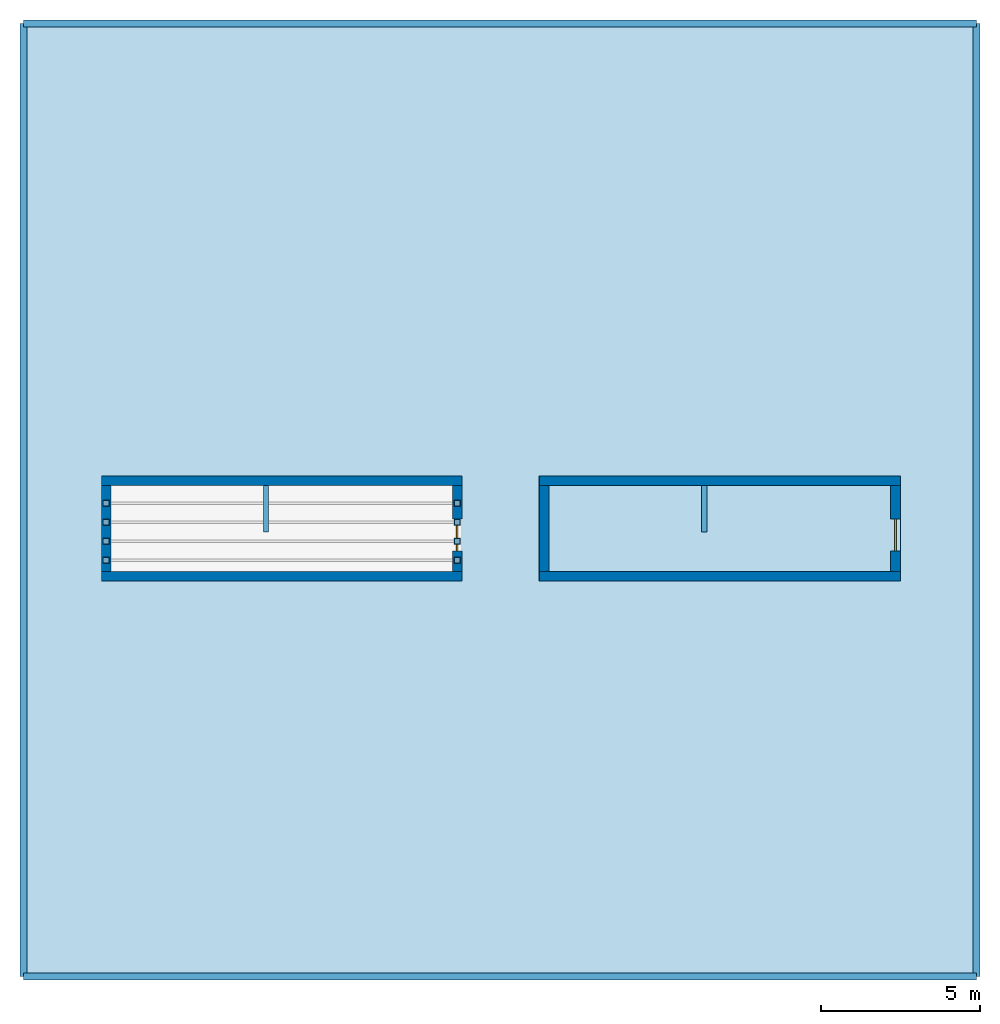
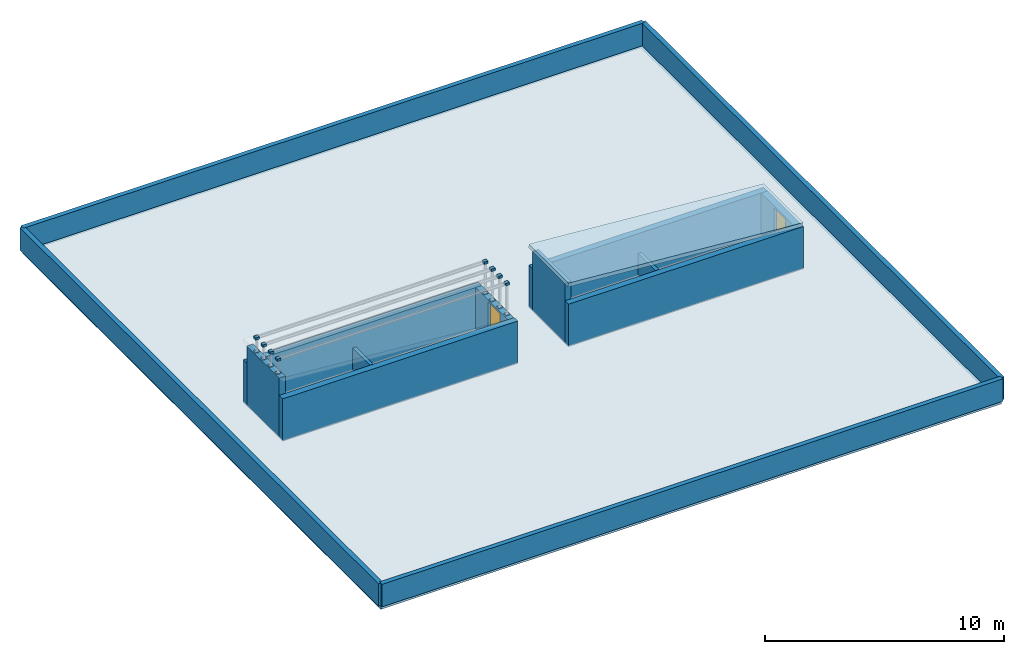
# One storey, part 2 of 3: 16 discrete accessories, 14 walls, 2 doors, 2 slabs, 2 openings.
"""IFC4 building model written with IfcOpenShell, lengths in metres."""

from ifc_helpers import new_model, si_unit, direction, frame, frame_2d, origin, origin_2d, place, context, subcontext, project, spatial, polyline, rectangle, outline, extrude, material, layer, layer_set, type_object, element, fill, save


model = new_model("IFC4")

# Units and contexts
model_context = context("Model", 3, precision=1e-05, world=origin(), true_north=direction((0.0, 1.0)))
body_context = subcontext(model_context, "Body", "Model", "MODEL_VIEW")
ifc_project = project(units=[si_unit("LENGTHUNIT", "METRE"), si_unit("AREAUNIT", "SQUARE_METRE"), si_unit("VOLUMEUNIT", "CUBIC_METRE"), si_unit("PLANEANGLEUNIT", "RADIAN"), si_unit("MASSUNIT", "GRAM", prefix="KILO"), si_unit("POWERUNIT", "WATT"), si_unit("THERMODYNAMICTEMPERATUREUNIT", "KELVIN")], contexts=[model_context])

# Site, building, storey
site_placement = place(None, origin())
site = spatial("IfcSite", under=ifc_project, at=site_placement, CompositionType="ELEMENT")
building_placement = place(site_placement, origin())
building = spatial("IfcBuilding", under=site, at=building_placement, Name="Ruvembo Vaulted Housing Court", CompositionType="ELEMENT")
storey_placement = place(building_placement, frame((0.0, 0.0, 46.10009765625)))
storey = spatial("IfcBuildingStorey", under=building, at=storey_placement, Name="RF", CompositionType="ELEMENT", Elevation=46.10009765625)

# Slabs
ifc_material_1 = material(Name="Concrete C30/37", Category="concrete")
ifc_layer_1 = layer(ifc_material_1, 0.195068359375, Name="Concrete C30/37")
ifc_layer_set_1 = layer_set([ifc_layer_1], Name="Concrete C30/37")
slab_type = type_object("IfcSlabType", Name="SL-ROOF-195", PredefinedType="ROOF", material=ifc_layer_set_1)
slab_1_placement = place(storey_placement, frame((0.0, 0.0, -0.195068359375)))
element("IfcSlab", 1, at=slab_1_placement, inside=storey, type_object=slab_type, Name="Block A RF Roof Slab", PredefinedType="ROOF", context=body_context, shape_type="SweptSolid", body=[
    extrude(outline(polyline([(30.0, 6.0), (30.0, 36.0), (0.0, 36.0), (0.0, 6.0), (30.0, 6.0)]), holes=[polyline([(7.5, 21.449951171875), (2.75, 21.449951171875), (2.75, 18.75), (7.5, 18.75), (7.5, 21.449951171875)]), polyline([(21.300048828125, 21.449951171875), (16.550048828125, 21.449951171875), (16.550048828125, 18.75), (21.300048828125, 18.75), (21.300048828125, 21.449951171875)])]), origin(), (0.0, 0.0, 1.0), 0.195068359375),
])
slab_2_placement = place(storey_placement, frame((16.25, 18.449951171875, 3.22998046875), z_axis=(0.077737796626, 0.0, 0.996973838662), x_axis=(0.996973838662, 0.0, -0.077737796626)))
element("IfcSlab", 2, at=slab_2_placement, inside=storey, type_object=slab_type, Name="Core A2 RF Sloped Headhouse Shed Roof Slab", PredefinedType="ROOF", context=body_context, shape_type="SweptSolid", body=[
    extrude(outline(polyline([(0.0, 0.0), (11.384549138708277, 0.0), (11.384549138708277, 3.300048828125), (0.0, 3.300048828125), (0.0, 0.0)])), origin(), (0.0, 0.0, -1.0), 0.195068359375),
])

# Walls
ifc_material_2 = material(Name="Concrete C35/45", Category="concrete")
ifc_layer_2 = layer(ifc_material_2, 0.300048828125, Name="Concrete C35/45")
ifc_layer_set_2 = layer_set([ifc_layer_2], Name="Concrete C35/45")
wall_type_1 = type_object("IfcWallType", Name="WL-CORE-300", PredefinedType="SHEAR", material=ifc_layer_set_2)
for number, where, z_axis, x_axis, name in (
    (3, (2.449951171875, 18.60009765625, 0.0), (0.0, 0.0, 1.0), (1.0, 0.0, 0.0), "Core A1 RF Headhouse South Wall"),
    (4, (13.800048828125, 21.60009765625, 0.0), (0.0, 0.0, 1.0), (-1.0, 0.0, 0.0), "Core A1 RF Headhouse North Wall"),
):
    element("IfcWall", number, at=place(storey_placement, frame(where, z_axis=z_axis, x_axis=x_axis)), inside=storey, type_object=wall_type_1, Name=name, PredefinedType="SHEAR", context=body_context, shape_type="SweptSolid", body=[
        extrude(rectangle(XDim=11.35009765625, YDim=0.300048828125, at=frame_2d((5.675048828125, 0.0))), origin(), (0.0, 0.0, 1.0), 2.14990234375),
    ])
wall_1_placement = place(storey_placement, frame((2.60009765625, 21.449951171875, 0.0), z_axis=(0.0, 0.0, 1.0), x_axis=(0.0, -1.0, 0.0)))
element("IfcWall", 5, at=wall_1_placement, inside=storey, type_object=wall_type_1, Name="Core A1 RF Headhouse West Wall", PredefinedType="SHEAR", context=body_context, shape_type="SweptSolid", body=[
    extrude(rectangle(XDim=2.699951171875, YDim=0.300048828125, at=frame_2d((1.35009765625, 0.0))), origin(), (0.0, 0.0, 1.0), 3.034912109375),
])

# Wall, opening, door
wall_2_placement = place(storey_placement, frame((13.64990234375, 18.75, 0.0), z_axis=(0.0, 0.0, 1.0), x_axis=(0.0, 1.0, 0.0)))
wall_2 = element("IfcWall", 6, at=wall_2_placement, inside=storey, type_object=wall_type_1, Name="Core A1 RF Headhouse East Wall", PredefinedType="SHEAR", context=body_context, shape_type="SweptSolid", body=[
    extrude(rectangle(XDim=2.699951171875, YDim=0.300048828125, at=frame_2d((1.35009765625, 0.0))), origin(), (0.0, 0.0, 1.0), 2.14990234375),
])
opening_1_placement = place(wall_2_placement, frame((0.64990234375, 0.0, 0.0)))
opening_1 = element("IfcOpeningElement", 7, at=opening_1_placement, cuts=wall_2, Name="Opening HD1", PredefinedType="OPENING", context=body_context, shape_type="SweptSolid", body=[
    extrude(rectangle(XDim=1.0, YDim=2.050048828125, at=frame_2d((0.5, 1.02490234375))), frame((0.0, 0.159912109375, 0.0), z_axis=(0.0, -1.0, 0.0), x_axis=(1.0, 0.0, 0.0)), (0.0, 0.0, 1.0), 0.320068359375),
])
ifc_material_3 = material(Name="Thermally Broken Glazed Aluminium", Category="aluminium")
door_type = type_object("IfcDoorType", Name="DR-HEADHOUSE-1000x2050", OperationType="NOTDEFINED", PredefinedType="TRAPDOOR", material=ifc_material_3)
door_1_placement = place(opening_1_placement, frame((1.0, 0.0, 0.0), z_axis=(0.0, 0.0, 1.0), x_axis=(-1.0, 0.0, 0.0)))
door_1 = element("IfcDoor", 8, at=door_1_placement, inside=storey, type_object=door_type, Name="Core A1 RF Stair Headhouse Roof Door", OperationType="SINGLE_SWING_RIGHT", OverallHeight=2.050048828125, OverallWidth=1.0, PredefinedType="TRAPDOOR", context=body_context, shape_type="SweptSolid", body=[
    extrude(rectangle(XDim=1.0, YDim=2.050048828125, at=frame_2d((0.5, 1.02490234375))), frame((0.0, 0.02490234375, 0.0), z_axis=(0.0, -1.0, 0.0), x_axis=(1.0, 0.0, 0.0)), (0.0, 0.0, 1.0), 0.050048828125),
])
fill(opening_1, door_1)

# Walls
for number, where, z_axis, x_axis, name in (
    (9, (16.25, 18.60009765625, 0.0), (0.0, 0.0, 1.0), (1.0, 0.0, 0.0), "Core A2 RF Headhouse South Wall"),
    (10, (27.60009765625, 21.60009765625, 0.0), (0.0, 0.0, 1.0), (-1.0, 0.0, 0.0), "Core A2 RF Headhouse North Wall"),
):
    element("IfcWall", number, at=place(storey_placement, frame(where, z_axis=z_axis, x_axis=x_axis)), inside=storey, type_object=wall_type_1, Name=name, PredefinedType="SHEAR", context=body_context, shape_type="SweptSolid", body=[
        extrude(rectangle(XDim=11.35009765625, YDim=0.300048828125, at=frame_2d((5.675048828125, 0.0))), origin(), (0.0, 0.0, 1.0), 2.14990234375),
    ])
wall_3_placement = place(storey_placement, frame((16.39990234375, 21.449951171875, 0.0), z_axis=(0.0, 0.0, 1.0), x_axis=(0.0, -1.0, 0.0)))
element("IfcWall", 11, at=wall_3_placement, inside=storey, type_object=wall_type_1, Name="Core A2 RF Headhouse West Wall", PredefinedType="SHEAR", context=body_context, shape_type="SweptSolid", body=[
    extrude(rectangle(XDim=2.699951171875, YDim=0.300048828125, at=frame_2d((1.35009765625, 0.0))), origin(), (0.0, 0.0, 1.0), 3.034912109375),
])

# Wall, opening, door
wall_4_placement = place(storey_placement, frame((27.449951171875, 18.75, 0.0), z_axis=(0.0, 0.0, 1.0), x_axis=(0.0, 1.0, 0.0)))
wall_4 = element("IfcWall", 12, at=wall_4_placement, inside=storey, type_object=wall_type_1, Name="Core A2 RF Headhouse East Wall", PredefinedType="SHEAR", context=body_context, shape_type="SweptSolid", body=[
    extrude(rectangle(XDim=2.699951171875, YDim=0.300048828125, at=frame_2d((1.35009765625, 0.0))), origin(), (0.0, 0.0, 1.0), 2.14990234375),
])
opening_2_placement = place(wall_4_placement, frame((0.64990234375, 0.0, 0.0)))
opening_2 = element("IfcOpeningElement", 13, at=opening_2_placement, cuts=wall_4, Name="Opening HD1", PredefinedType="OPENING", context=body_context, shape_type="SweptSolid", body=[
    extrude(rectangle(XDim=1.0, YDim=2.050048828125, at=frame_2d((0.5, 1.02490234375))), frame((0.0, 0.159912109375, 0.0), z_axis=(0.0, -1.0, 0.0), x_axis=(1.0, 0.0, 0.0)), (0.0, 0.0, 1.0), 0.320068359375),
])
door_2_placement = place(opening_2_placement, frame((1.0, 0.0, 0.0), z_axis=(0.0, 0.0, 1.0), x_axis=(-1.0, 0.0, 0.0)))
door_2 = element("IfcDoor", 14, at=door_2_placement, inside=storey, type_object=door_type, Name="Core A2 RF Stair Headhouse Roof Door", OperationType="SINGLE_SWING_RIGHT", OverallHeight=2.050048828125, OverallWidth=1.0, PredefinedType="TRAPDOOR", context=body_context, shape_type="SweptSolid", body=[
    extrude(rectangle(XDim=1.0, YDim=2.050048828125, at=frame_2d((0.5, 1.02490234375))), frame((0.0, 0.02490234375, 0.0), z_axis=(0.0, -1.0, 0.0), x_axis=(1.0, 0.0, 0.0)), (0.0, 0.0, 1.0), 0.050048828125),
])
fill(opening_2, door_2)

# Walls
ifc_layer_3 = layer(ifc_material_1, 0.169921875, Name="Concrete C30/37")
ifc_layer_set_3 = layer_set([ifc_layer_3], Name="Concrete C30/37")
wall_type_2 = type_object("IfcWallType", Name="WL-PARAPET-170", PredefinedType="PARAPET", material=ifc_layer_set_3)
for number, where, z_axis, x_axis, name in (
    (15, (7.635009765625, 21.449951171875, 0.0), (0.0, 0.0, 1.0), (0.0, -1.0, 0.0), "Core A1 RF Stairwell Solid Guard Wall 1"),
    (16, (21.43505859375, 21.449951171875, 0.0), (0.0, 0.0, 1.0), (0.0, -1.0, 0.0), "Core A2 RF Stairwell Solid Guard Wall 1"),
):
    element("IfcWall", number, at=place(storey_placement, frame(where, z_axis=z_axis, x_axis=x_axis)), inside=storey, type_object=wall_type_2, Name=name, PredefinedType="PARAPET", context=body_context, shape_type="SweptSolid", body=[
        extrude(rectangle(XDim=1.449951171875, YDim=0.169921875, at=frame_2d((0.72509765625, 0.0))), origin(), (0.0, 0.0, 1.0), 1.14990234375),
    ])
ifc_layer_4 = layer(ifc_material_1, 0.219970703125, Name="Concrete C30/37")
ifc_layer_set_4 = layer_set([ifc_layer_4], Name="Concrete C30/37")
wall_type_3 = type_object("IfcWallType", Name="WL-PARAPET-220", PredefinedType="PARAPET", material=ifc_layer_set_4)
for number, where, z_axis, x_axis, name in (
    (17, (0.0, 6.0, 0.0), (0.0, 0.0, 1.0), (1.0, 0.0, 0.0), "Block A RF Roof Parapet 1"),
    (18, (30.0, 6.0, 0.0), (0.0, 0.0, 1.0), (0.0, 1.0, 0.0), "Block A RF Roof Parapet 2"),
    (19, (30.0, 36.0, 0.0), (0.0, 0.0, 1.0), (-1.0, 0.0, 0.0), "Block A RF Roof Parapet 3"),
    (20, (0.0, 36.0, 0.0), (0.0, 0.0, 1.0), (0.0, -1.0, 0.0), "Block A RF Roof Parapet 4"),
):
    element("IfcWall", number, at=place(storey_placement, frame(where, z_axis=z_axis, x_axis=x_axis)), inside=storey, type_object=wall_type_3, Name=name, PredefinedType="PARAPET", context=body_context, shape_type="SweptSolid", body=[
        extrude(rectangle(XDim=30.0, YDim=0.219970703125, at=frame_2d((15.0, 0.0))), origin(), (0.0, 0.0, 1.0), 1.14990234375),
    ])

# Discrete accessories
ifc_material_4 = material(Name="Steel S355J2", Category="steel")
discrete_accessory_type = type_object("IfcDiscreteAccessoryType", Name="ACC-STL-NODE", PredefinedType="BRACKET", material=ifc_material_4)
discrete_accessory_1_placement = place(storey_placement, frame((2.60009765625, 19.10009765625, 2.999755859375), z_axis=(0.0, 0.0, 1.0), x_axis=(1.0, 0.0, 0.0)))
element("IfcDiscreteAccessory", 21, at=discrete_accessory_1_placement, inside=storey, type_object=discrete_accessory_type, Name="RF Pergola Post Shoe 1A", PredefinedType="BRACKET", context=body_context, shape_type="SweptSolid", body=[
    extrude(rectangle(XDim=0.199951171875, YDim=0.199951171875, at=origin_2d()), origin(), (0.0, 0.0, 1.0), 0.06005859375),
])
discrete_accessory_2_placement = place(storey_placement, frame((2.60009765625, 19.10009765625, 3.68994140625), z_axis=(0.0, 0.0, 1.0), x_axis=(1.0, 0.0, 0.0)))
element("IfcDiscreteAccessory", 22, at=discrete_accessory_2_placement, inside=storey, type_object=discrete_accessory_type, Name="RF Pergola Post Cap Cleat 1A", PredefinedType="BRACKET", context=body_context, shape_type="SweptSolid", body=[
    extrude(rectangle(XDim=0.179931640625, YDim=0.179931640625, at=origin_2d()), origin(), (0.0, 0.0, 1.0), 0.1201171875),
])
discrete_accessory_3_placement = place(storey_placement, frame((13.64990234375, 19.10009765625, 2.114990234375), z_axis=(0.0, 0.0, 1.0), x_axis=(1.0, 0.0, 0.0)))
element("IfcDiscreteAccessory", 23, at=discrete_accessory_3_placement, inside=storey, type_object=discrete_accessory_type, Name="RF Pergola Post Shoe 1B", PredefinedType="BRACKET", context=body_context, shape_type="SweptSolid", body=[
    extrude(rectangle(XDim=0.199951171875, YDim=0.199951171875, at=origin_2d()), origin(), (0.0, 0.0, 1.0), 0.06005859375),
])
discrete_accessory_4_placement = place(storey_placement, frame((13.64990234375, 19.10009765625, 3.68994140625), z_axis=(0.0, 0.0, 1.0), x_axis=(1.0, 0.0, 0.0)))
element("IfcDiscreteAccessory", 24, at=discrete_accessory_4_placement, inside=storey, type_object=discrete_accessory_type, Name="RF Pergola Post Cap Cleat 1B", PredefinedType="BRACKET", context=body_context, shape_type="SweptSolid", body=[
    extrude(rectangle(XDim=0.179931640625, YDim=0.179931640625, at=origin_2d()), origin(), (0.0, 0.0, 1.0), 0.1201171875),
])
discrete_accessory_5_placement = place(storey_placement, frame((2.60009765625, 19.699951171875, 2.999755859375), z_axis=(0.0, 0.0, 1.0), x_axis=(1.0, 0.0, 0.0)))
element("IfcDiscreteAccessory", 25, at=discrete_accessory_5_placement, inside=storey, type_object=discrete_accessory_type, Name="RF Pergola Post Shoe 2A", PredefinedType="BRACKET", context=body_context, shape_type="SweptSolid", body=[
    extrude(rectangle(XDim=0.199951171875, YDim=0.199951171875, at=origin_2d()), origin(), (0.0, 0.0, 1.0), 0.06005859375),
])
discrete_accessory_6_placement = place(storey_placement, frame((2.60009765625, 19.699951171875, 3.68994140625), z_axis=(0.0, 0.0, 1.0), x_axis=(1.0, 0.0, 0.0)))
element("IfcDiscreteAccessory", 26, at=discrete_accessory_6_placement, inside=storey, type_object=discrete_accessory_type, Name="RF Pergola Post Cap Cleat 2A", PredefinedType="BRACKET", context=body_context, shape_type="SweptSolid", body=[
    extrude(rectangle(XDim=0.179931640625, YDim=0.179931640625, at=origin_2d()), origin(), (0.0, 0.0, 1.0), 0.1201171875),
])
discrete_accessory_7_placement = place(storey_placement, frame((13.64990234375, 19.699951171875, 2.114990234375), z_axis=(0.0, 0.0, 1.0), x_axis=(1.0, 0.0, 0.0)))
element("IfcDiscreteAccessory", 27, at=discrete_accessory_7_placement, inside=storey, type_object=discrete_accessory_type, Name="RF Pergola Post Shoe 2B", PredefinedType="BRACKET", context=body_context, shape_type="SweptSolid", body=[
    extrude(rectangle(XDim=0.199951171875, YDim=0.199951171875, at=origin_2d()), origin(), (0.0, 0.0, 1.0), 0.06005859375),
])
discrete_accessory_8_placement = place(storey_placement, frame((13.64990234375, 19.699951171875, 3.68994140625), z_axis=(0.0, 0.0, 1.0), x_axis=(1.0, 0.0, 0.0)))
element("IfcDiscreteAccessory", 28, at=discrete_accessory_8_placement, inside=storey, type_object=discrete_accessory_type, Name="RF Pergola Post Cap Cleat 2B", PredefinedType="BRACKET", context=body_context, shape_type="SweptSolid", body=[
    extrude(rectangle(XDim=0.179931640625, YDim=0.179931640625, at=origin_2d()), origin(), (0.0, 0.0, 1.0), 0.1201171875),
])
discrete_accessory_9_placement = place(storey_placement, frame((2.60009765625, 20.300048828125, 2.999755859375), z_axis=(0.0, 0.0, 1.0), x_axis=(1.0, 0.0, 0.0)))
element("IfcDiscreteAccessory", 29, at=discrete_accessory_9_placement, inside=storey, type_object=discrete_accessory_type, Name="RF Pergola Post Shoe 3A", PredefinedType="BRACKET", context=body_context, shape_type="SweptSolid", body=[
    extrude(rectangle(XDim=0.199951171875, YDim=0.199951171875, at=origin_2d()), origin(), (0.0, 0.0, 1.0), 0.06005859375),
])
discrete_accessory_10_placement = place(storey_placement, frame((2.60009765625, 20.300048828125, 3.68994140625), z_axis=(0.0, 0.0, 1.0), x_axis=(1.0, 0.0, 0.0)))
element("IfcDiscreteAccessory", 30, at=discrete_accessory_10_placement, inside=storey, type_object=discrete_accessory_type, Name="RF Pergola Post Cap Cleat 3A", PredefinedType="BRACKET", context=body_context, shape_type="SweptSolid", body=[
    extrude(rectangle(XDim=0.179931640625, YDim=0.179931640625, at=origin_2d()), origin(), (0.0, 0.0, 1.0), 0.1201171875),
])
discrete_accessory_11_placement = place(storey_placement, frame((13.64990234375, 20.300048828125, 2.114990234375), z_axis=(0.0, 0.0, 1.0), x_axis=(1.0, 0.0, 0.0)))
element("IfcDiscreteAccessory", 31, at=discrete_accessory_11_placement, inside=storey, type_object=discrete_accessory_type, Name="RF Pergola Post Shoe 3B", PredefinedType="BRACKET", context=body_context, shape_type="SweptSolid", body=[
    extrude(rectangle(XDim=0.199951171875, YDim=0.199951171875, at=origin_2d()), origin(), (0.0, 0.0, 1.0), 0.06005859375),
])
discrete_accessory_12_placement = place(storey_placement, frame((13.64990234375, 20.300048828125, 3.68994140625), z_axis=(0.0, 0.0, 1.0), x_axis=(1.0, 0.0, 0.0)))
element("IfcDiscreteAccessory", 32, at=discrete_accessory_12_placement, inside=storey, type_object=discrete_accessory_type, Name="RF Pergola Post Cap Cleat 3B", PredefinedType="BRACKET", context=body_context, shape_type="SweptSolid", body=[
    extrude(rectangle(XDim=0.179931640625, YDim=0.179931640625, at=origin_2d()), origin(), (0.0, 0.0, 1.0), 0.1201171875),
])
discrete_accessory_13_placement = place(storey_placement, frame((2.60009765625, 20.89990234375, 2.999755859375), z_axis=(0.0, 0.0, 1.0), x_axis=(1.0, 0.0, 0.0)))
element("IfcDiscreteAccessory", 33, at=discrete_accessory_13_placement, inside=storey, type_object=discrete_accessory_type, Name="RF Pergola Post Shoe 4A", PredefinedType="BRACKET", context=body_context, shape_type="SweptSolid", body=[
    extrude(rectangle(XDim=0.199951171875, YDim=0.199951171875, at=origin_2d()), origin(), (0.0, 0.0, 1.0), 0.06005859375),
])
discrete_accessory_14_placement = place(storey_placement, frame((2.60009765625, 20.89990234375, 3.68994140625), z_axis=(0.0, 0.0, 1.0), x_axis=(1.0, 0.0, 0.0)))
element("IfcDiscreteAccessory", 34, at=discrete_accessory_14_placement, inside=storey, type_object=discrete_accessory_type, Name="RF Pergola Post Cap Cleat 4A", PredefinedType="BRACKET", context=body_context, shape_type="SweptSolid", body=[
    extrude(rectangle(XDim=0.179931640625, YDim=0.179931640625, at=origin_2d()), origin(), (0.0, 0.0, 1.0), 0.1201171875),
])
discrete_accessory_15_placement = place(storey_placement, frame((13.64990234375, 20.89990234375, 2.114990234375), z_axis=(0.0, 0.0, 1.0), x_axis=(1.0, 0.0, 0.0)))
element("IfcDiscreteAccessory", 35, at=discrete_accessory_15_placement, inside=storey, type_object=discrete_accessory_type, Name="RF Pergola Post Shoe 4B", PredefinedType="BRACKET", context=body_context, shape_type="SweptSolid", body=[
    extrude(rectangle(XDim=0.199951171875, YDim=0.199951171875, at=origin_2d()), origin(), (0.0, 0.0, 1.0), 0.06005859375),
])
discrete_accessory_16_placement = place(storey_placement, frame((13.64990234375, 20.89990234375, 3.68994140625), z_axis=(0.0, 0.0, 1.0), x_axis=(1.0, 0.0, 0.0)))
element("IfcDiscreteAccessory", 36, at=discrete_accessory_16_placement, inside=storey, type_object=discrete_accessory_type, Name="RF Pergola Post Cap Cleat 4B", PredefinedType="BRACKET", context=body_context, shape_type="SweptSolid", body=[
    extrude(rectangle(XDim=0.179931640625, YDim=0.179931640625, at=origin_2d()), origin(), (0.0, 0.0, 1.0), 0.1201171875),
])

save(model, "model.ifc")
